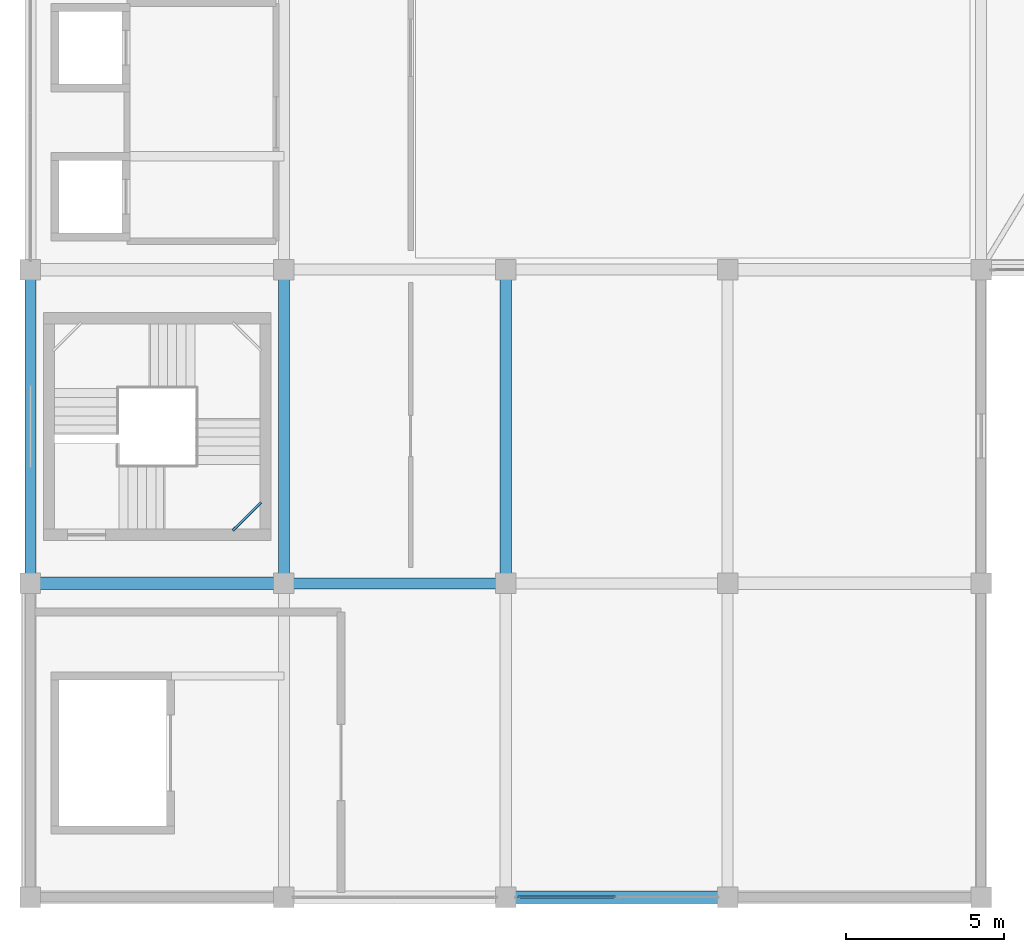
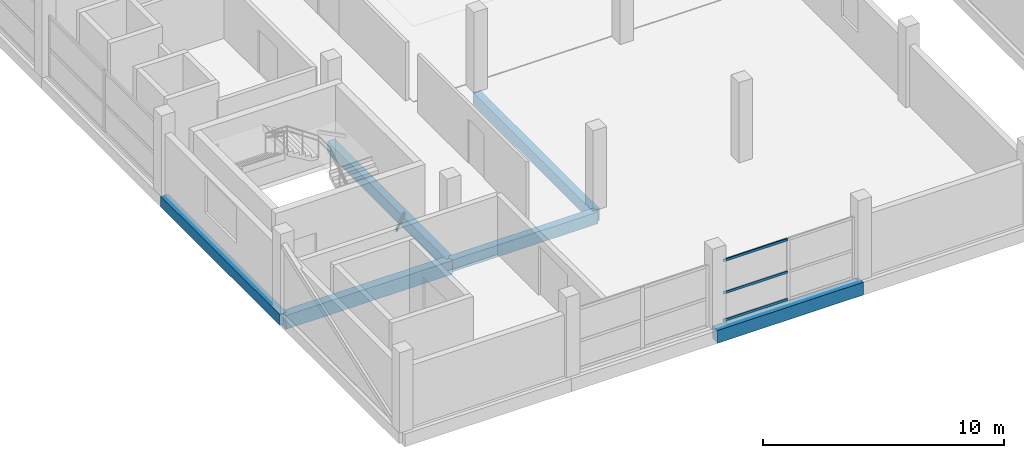
# One storey, part 3 of 66: 7 beams, 3 members, 1 element without a shape of its own.
"""IFC4 building model written with IfcOpenShell, lengths in metres."""

from ifc_helpers import new_model, si_unit, direction, frame, origin, origin_2d, place, context, subcontext, project, spatial, rectangle, hollow_rectangle, extrude, material, layer, layer_set, material_profile, profile_set, type_object, element, aggregate, save


model = new_model("IFC4")

# Units and contexts
model_context = context("Model", 3, precision=1e-05, world=origin(), true_north=direction((0.0, 1.0)))
body_context = subcontext(model_context, "Body", "Model", "MODEL_VIEW")
ifc_project = project(units=[si_unit("LENGTHUNIT", "METRE"), si_unit("AREAUNIT", "SQUARE_METRE"), si_unit("VOLUMEUNIT", "CUBIC_METRE"), si_unit("PLANEANGLEUNIT", "RADIAN"), si_unit("MASSUNIT", "GRAM", prefix="KILO")], contexts=[model_context])

# Site, building, storey
site_placement = place(None, origin())
site = spatial("IfcSite", under=ifc_project, at=site_placement, CompositionType="ELEMENT")
building_placement = place(site_placement, origin())
building = spatial("IfcBuilding", under=site, at=building_placement, Name="Sillaruma Civic Art Gallery", CompositionType="ELEMENT")
storey_placement = place(building_placement, frame((0.0, 0.0, 62.219970703125)))
storey = spatial("IfcBuildingStorey", under=building, at=storey_placement, Name="L12", CompositionType="ELEMENT", Elevation=62.219970703125)

# Beams
ifc_material_1 = material(Name="Concrete H35 (35 MPa)", Category="concrete")
ifc_material_profile_1 = material_profile(ifc_material_1, rectangle(XDim=0.35009765625, YDim=0.60009765625, at=origin_2d()), Name="RCB350x600")
ifc_profile_set_1 = profile_set([ifc_material_profile_1], Name="Concrete H35 (35 MPa)")
beam_type_1 = type_object("IfcBeamType", Name="BM-BEAM-RCB350x600", PredefinedType="BEAM", material=ifc_profile_set_1)
beam_1_placement = place(storey_placement, frame((70.0, 29.699951171875, -0.530029296875), z_axis=(1.0, 0.0, 0.0), x_axis=(0.0, 1.0, 0.0)))
element("IfcBeam", 1, at=beam_1_placement, inside=storey, type_object=beam_type_1, Name="Beam BM-06 (L11:4:G-H)", PredefinedType="BEAM", context=body_context, shape_type="SweptSolid", body=[
    extrude(rectangle(XDim=0.35009765625, YDim=0.60009765625, at=origin_2d()), origin(), (0.0, 0.0, 1.0), 7.0),
])
for number, where, z_axis, x_axis, name in (
    (2, (70.0, 29.699951171875, -0.530029296875), (0.0, 1.0, 0.0), (-1.0, 0.0, 0.0), "Beam BM-06 (L11:G:4-5)"),
    (3, (77.0, 29.699951171875, -0.530029296875), (0.0, 1.0, 0.0), (-1.0, 0.0, 0.0), "Beam BM-06 (L11:H:4-5)"),
):
    element("IfcBeam", number, at=place(storey_placement, frame(where, z_axis=z_axis, x_axis=x_axis)), inside=storey, type_object=beam_type_1, Name=name, PredefinedType="BEAM", context=body_context, shape_type="SweptSolid", body=[
        extrude(rectangle(XDim=0.35009765625, YDim=0.60009765625, at=origin_2d()), origin(), (0.0, 0.0, 1.0), 9.900146484375),
    ])
ifc_material_profile_2 = material_profile(ifc_material_1, rectangle(XDim=0.39990234375, YDim=0.699951171875, at=origin_2d()), Name="RCB400x700")
ifc_profile_set_2 = profile_set([ifc_material_profile_2], Name="Concrete H35 (35 MPa)")
beam_type_2 = type_object("IfcBeamType", Name="BM-BEAM-RCB400x700", PredefinedType="BEAM", material=ifc_profile_set_2)
beam_2_placement = place(storey_placement, frame((62.0, 29.699951171875, -0.580078125), z_axis=(1.0, 0.0, 0.0), x_axis=(0.0, 1.0, 0.0)))
element("IfcBeam", 4, at=beam_2_placement, inside=storey, type_object=beam_type_2, Name="Beam BM-04 (L11:4:F-G)", PredefinedType="BEAM", context=body_context, shape_type="SweptSolid", body=[
    extrude(rectangle(XDim=0.39990234375, YDim=0.699951171875, at=origin_2d()), origin(), (0.0, 0.0, 1.0), 8.0),
])
ifc_material_2 = material(Name="Structural Steel ASTM A500 Gr.C", Category="steel")
ifc_material_profile_3 = material_profile(ifc_material_2, hollow_rectangle(XDim=0.080078125, YDim=0.159912109375, WallThickness=0.008056640625, InnerFilletRadius=0.008056640625, OuterFilletRadius=0.01611328125, at=origin_2d()), Name="HSS160x80x8")
ifc_profile_set_3 = profile_set([ifc_material_profile_3], Name="Structural Steel ASTM A500 Gr.C")
beam_type_3 = type_object("IfcBeamType", Name="BM-LND-HSS160", PredefinedType="BEAM", material=ifc_profile_set_3)
beam_3_placement = place(storey_placement, frame((68.389892578125, 31.3701171875, 0.739990234375), z_axis=(0.707203758046, 0.707009791025, 0.0), x_axis=(-0.707009791025, 0.707203758046, 0.0)))
element("IfcBeam", 5, at=beam_3_placement, inside=storey, type_object=beam_type_3, Name="Stair Corner Landing Trimmer Beam (ST-03-L12-1)", PredefinedType="BEAM", context=body_context, shape_type="SweptSolid", body=[
    extrude(hollow_rectangle(XDim=0.080078125, YDim=0.159912109375, WallThickness=0.008056640625, InnerFilletRadius=0.008056640625, OuterFilletRadius=0.01611328125, at=origin_2d()), origin(), (0.0, 0.0, 1.0), 1.2587890625),
])
ifc_material_profile_4 = material_profile(ifc_material_1, rectangle(XDim=0.35009765625, YDim=0.550048828125, at=origin_2d()), Name="RCB350x550")
ifc_profile_set_4 = profile_set([ifc_material_profile_4], Name="Concrete H35 (35 MPa)")
beam_type_4 = type_object("IfcBeamType", Name="BM-SPANDREL-RCB350x550", PredefinedType="SPANDREL", material=ifc_profile_set_4)
beam_4_placement = place(storey_placement, frame((62.0, 29.699951171875, -0.5048828125), z_axis=(0.0, 1.0, 0.0), x_axis=(-1.0, 0.0, 0.0)))
element("IfcBeam", 6, at=beam_4_placement, inside=storey, type_object=beam_type_4, Name="Beam BS-04 (L11:F:4-5)", PredefinedType="SPANDREL", context=body_context, shape_type="SweptSolid", body=[
    extrude(rectangle(XDim=0.35009765625, YDim=0.550048828125, at=origin_2d()), origin(), (0.0, 0.0, 1.0), 9.900146484375),
])
ifc_material_profile_5 = material_profile(ifc_material_1, rectangle(XDim=0.39990234375, YDim=0.64990234375, at=origin_2d()), Name="RCB400x650")
ifc_profile_set_5 = profile_set([ifc_material_profile_5], Name="Concrete H35 (35 MPa)")
beam_type_5 = type_object("IfcBeamType", Name="BM-SPANDREL-RCB400x650", PredefinedType="SPANDREL", material=ifc_profile_set_5)
beam_5_placement = place(storey_placement, frame((77.0, 19.800048828125, -0.554931640625), z_axis=(1.0, 0.0, 0.0), x_axis=(0.0, 1.0, 0.0)))
element("IfcBeam", 7, at=beam_5_placement, inside=storey, type_object=beam_type_5, Name="Beam BS-02 (L11:3:H-J)", PredefinedType="SPANDREL", context=body_context, shape_type="SweptSolid", body=[
    extrude(rectangle(XDim=0.39990234375, YDim=0.64990234375, at=origin_2d()), origin(), (0.0, 0.0, 1.0), 7.0),
])

# Curtain wall, members
ifc_material_3 = material(Name="Thermally Broken Extruded Aluminium 6063-T6", Category="aluminium")
ifc_layer = layer(ifc_material_3, 0.159912109375, Name="Thermally Broken Extruded Aluminium 6063-T6")
ifc_layer_set = layer_set([ifc_layer], Name="Thermally Broken Extruded Aluminium 6063-T6")
curtain_wall_type = type_object("IfcCurtainWallType", Name="CW-UNI-96", PredefinedType="NOTDEFINED", material=ifc_layer_set)
curtain_wall_placement = place(storey_placement, origin())
curtain_wall = element("IfcCurtainWall", 8, at=curtain_wall_placement, inside=storey, type_object=curtain_wall_type, Name="Unitised Curtain Wall CW-96 (CW-L12-WBS-3)", PredefinedType="NOTDEFINED")
ifc_material_profile_6 = material_profile(ifc_material_3, hollow_rectangle(XDim=0.06494140625, YDim=0.1201171875, WallThickness=0.00341796875, at=origin_2d()), Name="CWT65x120")
ifc_profile_set_6 = profile_set([ifc_material_profile_6], Name="Thermally Broken Extruded Aluminium 6063-T6")
member_type = type_object("IfcMemberType", Name="MEM-TRN-CWT65x120", PredefinedType="USERDEFINED", material=ifc_profile_set_6)
member_1_placement = place(storey_placement, frame((77.389892578125, 19.800048828125, 0.032470703125), z_axis=(1.0, 0.0, 0.0), x_axis=(0.0, 1.0, 0.0)))
member_1 = element("IfcMember", 9, at=member_1_placement, type_object=member_type, Name="CW-96 transom 1.1", ObjectType="TRANSOM", PredefinedType="USERDEFINED", context=body_context, shape_type="SweptSolid", body=[
    extrude(hollow_rectangle(XDim=0.06494140625, YDim=0.1201171875, WallThickness=0.00341796875, at=origin_2d()), origin(), (0.0, 0.0, 1.0), 3.07763671875),
])
member_2_placement = place(storey_placement, frame((77.389892578125, 19.800048828125, 1.426025390625), z_axis=(1.0, 0.0, 0.0), x_axis=(0.0, 1.0, 0.0)))
member_2 = element("IfcMember", 10, at=member_2_placement, type_object=member_type, Name="CW-96 transom 1.2", ObjectType="TRANSOM", PredefinedType="USERDEFINED", context=body_context, shape_type="SweptSolid", body=[
    extrude(hollow_rectangle(XDim=0.06494140625, YDim=0.1201171875, WallThickness=0.00341796875, at=origin_2d()), origin(), (0.0, 0.0, 1.0), 3.07763671875),
])
member_3_placement = place(storey_placement, frame((77.389892578125, 19.800048828125, 3.067626953125), z_axis=(1.0, 0.0, 0.0), x_axis=(0.0, 1.0, 0.0)))
member_3 = element("IfcMember", 11, at=member_3_placement, type_object=member_type, Name="CW-96 transom 1.3", ObjectType="TRANSOM", PredefinedType="USERDEFINED", context=body_context, shape_type="SweptSolid", body=[
    extrude(hollow_rectangle(XDim=0.06494140625, YDim=0.1201171875, WallThickness=0.00341796875, at=origin_2d()), origin(), (0.0, 0.0, 1.0), 3.07763671875),
])
aggregate(curtain_wall, [member_1, member_2, member_3])

save(model, "model.ifc")
